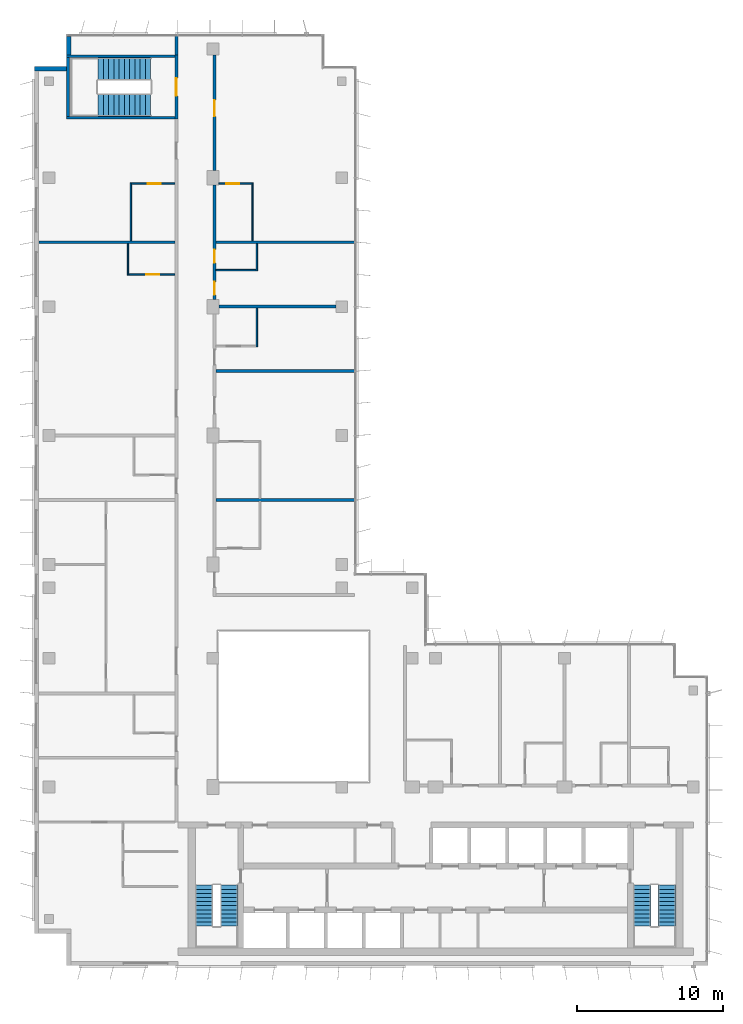
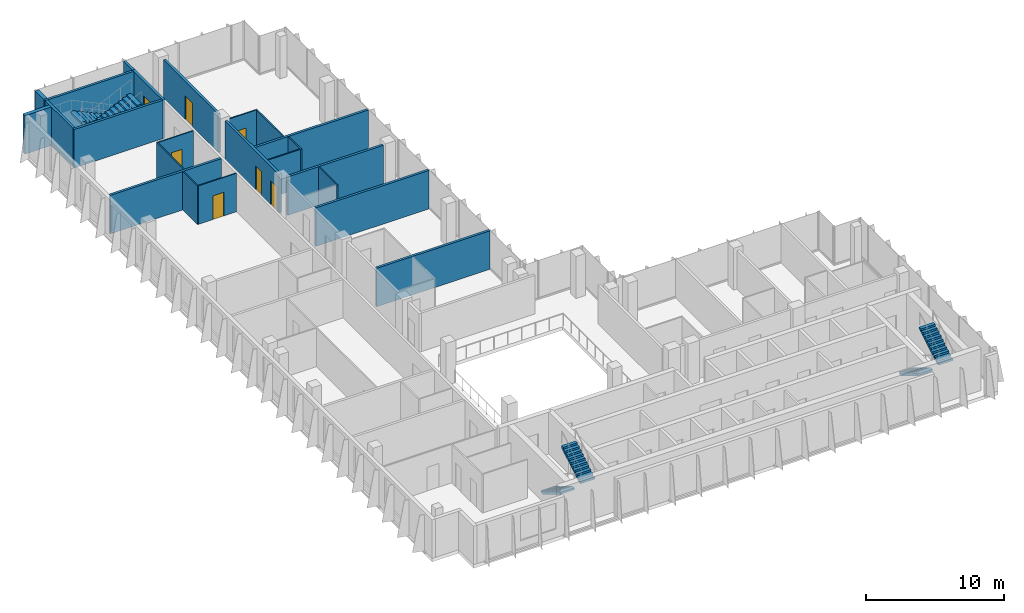
# One storey, part 12 of 15: 23 walls, 7 doors, 6 stair flights, 7 openings, 3 elements without a shape of their own.
"""IFC4 building model written with IfcOpenShell, lengths in metres."""

from ifc_helpers import new_model, si_unit, direction, frame, frame_2d, origin, place, context, subcontext, project, spatial, polyline, rectangle, outline, extrude, material, layer, layer_set, type_object, element, fill, aggregate, save


model = new_model("IFC4")

# Units and contexts
model_context = context("Model", 3, precision=1e-05, world=origin(), true_north=direction((0.0, 1.0)))
body_context = subcontext(model_context, "Body", "Model", "MODEL_VIEW")
ifc_project = project(units=[si_unit("LENGTHUNIT", "METRE"), si_unit("AREAUNIT", "SQUARE_METRE"), si_unit("VOLUMEUNIT", "CUBIC_METRE"), si_unit("PLANEANGLEUNIT", "RADIAN"), si_unit("MASSUNIT", "GRAM", prefix="KILO")], contexts=[model_context])

# Site, building, storey
site_placement = place(None, origin())
site = spatial("IfcSite", under=ifc_project, at=site_placement, CompositionType="ELEMENT")
building_placement = place(site_placement, origin())
building = spatial("IfcBuilding", under=site, at=building_placement, Name="Kemantara Hotel Tower", CompositionType="ELEMENT")
storey_placement = place(building_placement, frame((0.0, 0.0, 279.60009765625)))
storey = spatial("IfcBuildingStorey", under=building, at=storey_placement, Name="L70", CompositionType="ELEMENT", Elevation=279.60009765625)

# Walls
ifc_material_1 = material(Name="Bronze anodised aluminium cladding on insulated steel stud wall", Category="steel")
ifc_layer_1 = layer(ifc_material_1, 0.300048828125)
ifc_layer_set_1 = layer_set([ifc_layer_1], Name="Bronze anodised aluminium cladding on insulated steel stud wall")
wall_type_1 = type_object("IfcWallType", Name="BRONZE METAL-CLAD EXTERNAL WALL 300", PredefinedType="STANDARD", material=ifc_layer_set_1)
wall_1_placement = place(storey_placement, frame((2.35009765625, 63.449951171875, 0.0), z_axis=(0.0, 0.0, 1.0), x_axis=(0.0, -1.0, 0.0)))
element("IfcWall", 1, at=wall_1_placement, inside=storey, type_object=wall_type_1, Name="EXTERNAL WALL L70 T4-R03", PredefinedType="STANDARD", context=body_context, shape_type="SweptSolid", body=[
    extrude(rectangle(XDim=1.25, YDim=0.300048828125, at=frame_2d((0.625, 0.0))), origin(), (0.0, 0.0, 1.0), 3.39990234375),
])
wall_2_placement = place(storey_placement, frame((2.199951171875, 61.25, 0.0), z_axis=(0.0, 0.0, 1.0), x_axis=(-1.0, 0.0, 0.0)))
element("IfcWall", 2, at=wall_2_placement, inside=storey, type_object=wall_type_1, Name="EXTERNAL WALL L70 T4-R04", PredefinedType="STANDARD", context=body_context, shape_type="SweptSolid", body=[
    extrude(rectangle(XDim=2.199951171875, YDim=0.300048828125, at=frame_2d((1.10009765625, 0.0))), origin(), (0.0, 0.0, 1.0), 3.39990234375),
])
ifc_material_2 = material(Name="Gypsum board partition, steel studs and mineral wool, 200 mm", Category="steel")
ifc_layer_2 = layer(ifc_material_2, 0.199951171875)
ifc_layer_set_2 = layer_set([ifc_layer_2], Name="Gypsum board partition, steel studs and mineral wool, 200 mm")
wall_type_2 = type_object("IfcWallType", Name="CORRIDOR WALL 200", PredefinedType="PARTITIONING", material=ifc_layer_set_2)
wall_3_placement = place(storey_placement, frame((9.699951171875, 62.199951171875, 0.0), z_axis=(0.0, 0.0, 1.0), x_axis=(0.0, 1.0, 0.0)))
element("IfcWall", 3, at=wall_3_placement, inside=storey, type_object=wall_type_2, Name="CORRIDOR WALL 200 009", PredefinedType="PARTITIONING", context=body_context, shape_type="SweptSolid", body=[
    extrude(rectangle(XDim=1.280029296875, YDim=0.199951171875, at=frame_2d((0.64013671875, 0.0))), origin(), (0.0, 0.0, 1.0), 3.39990234375),
])

# Wall, openings, doors
wall_4_placement = place(storey_placement, frame((12.300048828125, 53.2998046875, 0.0), z_axis=(0.0, 0.0, 1.0), x_axis=(0.0, -1.0, 0.0)))
wall_4 = element("IfcWall", 4, at=wall_4_placement, inside=storey, type_object=wall_type_2, Name="CORRIDOR WALL 200 020", PredefinedType="PARTITIONING", context=body_context, shape_type="SweptSolid", body=[
    extrude(rectangle(XDim=7.7998046875, YDim=0.199951171875, at=frame_2d((3.89990234375, 0.0))), origin(), (0.0, 0.0, 1.0), 3.39990234375),
])
opening_1_placement = place(wall_4_placement, frame((6.599853515625, 0.0, 0.0)))
opening_1 = element("IfcOpeningElement", 5, at=opening_1_placement, cuts=wall_4, Name="Opening F34-030", PredefinedType="OPENING", context=body_context, shape_type="SweptSolid", body=[
    extrude(rectangle(XDim=0.89990234375, YDim=2.10009765625, at=frame_2d((0.449951171875, 1.050048828125))), frame((0.0, 0.10986328125, 0.0), z_axis=(0.0, -1.0, 0.0), x_axis=(1.0, 0.0, 0.0)), (0.0, 0.0, 1.0), 0.219970703125),
])
opening_2_placement = place(wall_4_placement, frame((4.39990234375, 0.0, 0.0)))
opening_2 = element("IfcOpeningElement", 6, at=opening_2_placement, cuts=wall_4, Name="Opening F34-031", PredefinedType="OPENING", context=body_context, shape_type="SweptSolid", body=[
    extrude(rectangle(XDim=0.89990234375, YDim=2.10009765625, at=frame_2d((0.449951171875, 1.050048828125))), frame((0.0, 0.10986328125, 0.0), z_axis=(0.0, -1.0, 0.0), x_axis=(1.0, 0.0, 0.0)), (0.0, 0.0, 1.0), 0.219970703125),
])
ifc_material_3 = material(Name="Steel door leaf with steel frame", Category="steel")
door_type_1 = type_object("IfcDoorType", Name="SERVICE ROOM DOOR 900 X 2100 FD60", OperationType="NOTDEFINED", PredefinedType="DOOR", material=ifc_material_3)
door_1_placement = place(opening_1_placement, origin())
door_1 = element("IfcDoor", 7, at=door_1_placement, inside=storey, type_object=door_type_1, Name="SERVICE ROOM DOOR F34-030", OperationType="SINGLE_SWING_RIGHT", OverallHeight=2.10009765625, OverallWidth=0.89990234375, PredefinedType="DOOR", context=body_context, shape_type="SweptSolid", body=[
    extrude(rectangle(XDim=0.89990234375, YDim=2.10009765625, at=frame_2d((0.449951171875, 1.050048828125))), frame((0.0, 0.02490234375, 0.0), z_axis=(0.0, -1.0, 0.0), x_axis=(1.0, 0.0, 0.0)), (0.0, 0.0, 1.0), 0.050048828125),
])
fill(opening_1, door_1)
door_2_placement = place(opening_2_placement, origin())
door_2 = element("IfcDoor", 8, at=door_2_placement, inside=storey, type_object=door_type_1, Name="SERVICE ROOM DOOR F34-031", OperationType="SINGLE_SWING_LEFT", OverallHeight=2.10009765625, OverallWidth=0.89990234375, PredefinedType="DOOR", context=body_context, shape_type="SweptSolid", body=[
    extrude(rectangle(XDim=0.89990234375, YDim=2.10009765625, at=frame_2d((0.449951171875, 1.050048828125))), frame((0.0, 0.02490234375, 0.0), z_axis=(0.0, -1.0, 0.0), x_axis=(1.0, 0.0, 0.0)), (0.0, 0.0, 1.0), 0.050048828125),
])
fill(opening_2, door_2)

# Wall, opening, door
wall_5_placement = place(storey_placement, frame((12.300048828125, 62.199951171875, 0.0), z_axis=(0.0, 0.0, 1.0), x_axis=(0.0, -1.0, 0.0)))
wall_5 = element("IfcWall", 9, at=wall_5_placement, inside=storey, type_object=wall_type_2, Name="CORRIDOR WALL 200 021", PredefinedType="PARTITIONING", context=body_context, shape_type="SweptSolid", body=[
    extrude(rectangle(XDim=7.89990234375, YDim=0.199951171875, at=frame_2d((3.949951171875, 0.0))), origin(), (0.0, 0.0, 1.0), 3.39990234375),
])
opening_3_placement = place(wall_5_placement, frame((3.099853515625, 0.0, 0.0)))
opening_3 = element("IfcOpeningElement", 10, at=opening_3_placement, cuts=wall_5, Name="Opening F34-032", PredefinedType="OPENING", context=body_context, shape_type="SweptSolid", body=[
    extrude(rectangle(XDim=1.10009765625, YDim=2.10009765625, at=frame_2d((0.550048828125, 1.050048828125))), frame((0.0, 0.10986328125, 0.0), z_axis=(0.0, -1.0, 0.0), x_axis=(1.0, 0.0, 0.0)), (0.0, 0.0, 1.0), 0.219970703125),
])
ifc_material_4 = material(Name="Hardwood veneer door leaf with steel frame", Category="steel")
door_type_2 = type_object("IfcDoorType", Name="SUITE ENTRANCE DOOR 1100 X 2100 FD30S", OperationType="NOTDEFINED", PredefinedType="DOOR", material=ifc_material_4)
door_3_placement = place(opening_3_placement, origin())
door_3 = element("IfcDoor", 11, at=door_3_placement, inside=storey, type_object=door_type_2, Name="SUITE ENTRANCE DOOR F34-032", OperationType="SINGLE_SWING_LEFT", OverallHeight=2.10009765625, OverallWidth=1.10009765625, PredefinedType="DOOR", context=body_context, shape_type="SweptSolid", body=[
    extrude(rectangle(XDim=1.10009765625, YDim=2.10009765625, at=frame_2d((0.550048828125, 1.050048828125))), frame((0.0, 0.02490234375, 0.0), z_axis=(0.0, -1.0, 0.0), x_axis=(1.0, 0.0, 0.0)), (0.0, 0.0, 1.0), 0.050048828125),
])
fill(opening_3, door_3)

ifc_material_5 = material(Name="Concrete fc 40 MPa", Category="concrete")
ifc_layer_3 = layer(ifc_material_5, 0.199951171875)
ifc_layer_set_3 = layer_set([ifc_layer_3], Name="Concrete fc 40 MPa")
wall_type_3 = type_object("IfcWallType", Name="Concrete stair wall 200 mm", PredefinedType="SHEAR", material=ifc_layer_set_3)
wall_6_placement = place(storey_placement, frame((9.699951171875, 57.800048828125, 0.0), z_axis=(0.0, 0.0, 1.0), x_axis=(0.0, 1.0, 0.0)))
wall_6 = element("IfcWall", 12, at=wall_6_placement, inside=storey, type_object=wall_type_3, Name="Stair ST4 enclosure wall with door", PredefinedType="SHEAR", context=body_context, shape_type="SweptSolid", body=[
    extrude(rectangle(XDim=4.39990234375, YDim=0.199951171875, at=frame_2d((2.199951171875, 0.0))), origin(), (0.0, 0.0, 1.0), 3.39990234375),
])
opening_4_placement = place(wall_6_placement, frame((1.60009765625, 0.0, 0.0)))
opening_4 = element("IfcOpeningElement", 13, at=opening_4_placement, cuts=wall_6, Name="Opening ST4-C", PredefinedType="OPENING", context=body_context, shape_type="SweptSolid", body=[
    extrude(rectangle(XDim=1.199951171875, YDim=2.10009765625, at=frame_2d((0.60009765625, 1.050048828125))), frame((0.0, 0.10986328125, 0.0), z_axis=(0.0, -1.0, 0.0), x_axis=(1.0, 0.0, 0.0)), (0.0, 0.0, 1.0), 0.219970703125),
])
ifc_material_6 = material(Name="Steel fire door", Category="steel")
door_type_3 = type_object("IfcDoorType", Name="Fire door FD90 1200 x 2100", OperationType="NOTDEFINED", PredefinedType="DOOR", material=ifc_material_6)
door_4_placement = place(opening_4_placement, origin())
door_4 = element("IfcDoor", 14, at=door_4_placement, inside=storey, type_object=door_type_3, Name="Stair ST4 door", OperationType="SINGLE_SWING_RIGHT", OverallHeight=2.10009765625, OverallWidth=1.199951171875, PredefinedType="DOOR", context=body_context, shape_type="SweptSolid", body=[
    extrude(rectangle(XDim=1.199951171875, YDim=2.10009765625, at=frame_2d((0.60009765625, 1.050048828125))), frame((0.0, 0.02490234375, 0.0), z_axis=(0.0, -1.0, 0.0), x_axis=(1.0, 0.0, 0.0)), (0.0, 0.0, 1.0), 0.050048828125),
])
fill(opening_4, door_4)

# Walls
for number, where, z_axis, x_axis, name in (
    (15, (2.199951171875, 62.10009765625, 0.0), (0.0, 0.0, 1.0), (1.0, 0.0, 0.0), "Stair ST4 enclosure wall N"),
    (16, (2.199951171875, 57.89990234375, 0.0), (0.0, 0.0, 1.0), (1.0, 0.0, 0.0), "Stair ST4 enclosure wall S"),
):
    element("IfcWall", number, at=place(storey_placement, frame(where, z_axis=z_axis, x_axis=x_axis)), inside=storey, type_object=wall_type_3, Name=name, PredefinedType="SHEAR", context=body_context, shape_type="SweptSolid", body=[
        extrude(rectangle(XDim=7.400146484375, YDim=0.199951171875, at=frame_2d((3.7001953125, 0.0))), origin(), (0.0, 0.0, 1.0), 3.39990234375),
    ])
wall_7_placement = place(storey_placement, frame((2.300048828125, 58.0, 0.0), z_axis=(0.0, 0.0, 1.0), x_axis=(0.0, 1.0, 0.0)))
element("IfcWall", 17, at=wall_7_placement, inside=storey, type_object=wall_type_3, Name="Stair ST4 enclosure wall W", PredefinedType="SHEAR", context=body_context, shape_type="SweptSolid", body=[
    extrude(rectangle(XDim=4.0, YDim=0.199951171875, at=frame_2d((2.0, 0.0))), origin(), (0.0, 0.0, 1.0), 3.39990234375),
])
ifc_layer_4 = layer(ifc_material_2, 0.199951171875)
ifc_layer_set_4 = layer_set([ifc_layer_4], Name="Gypsum board partition, steel studs and mineral wool, 200 mm")
wall_type_4 = type_object("IfcWallType", Name="GUEST ROOM PARTY WALL 200", PredefinedType="PARTITIONING", material=ifc_layer_set_4)
wall_8_placement = place(storey_placement, frame((12.39990234375, 31.800048828125, 0.0), z_axis=(0.0, 0.0, 1.0), x_axis=(1.0, 0.0, 0.0)))
element("IfcWall", 18, at=wall_8_placement, inside=storey, type_object=wall_type_4, Name="GUEST ROOM PARTY WALL 200 013", PredefinedType="PARTITIONING", context=body_context, shape_type="SweptSolid", body=[
    extrude(rectangle(XDim=9.47021484375, YDim=0.199951171875, at=frame_2d((4.735107421875, 0.0))), origin(), (0.0, 0.0, 1.0), 3.39990234375),
])
wall_9_placement = place(storey_placement, frame((0.31005859375, 49.39990234375, 0.0), z_axis=(0.0, 0.0, 1.0), x_axis=(1.0, 0.0, 0.0)))
element("IfcWall", 19, at=wall_9_placement, inside=storey, type_object=wall_type_4, Name="GUEST ROOM PARTY WALL 200 015", PredefinedType="PARTITIONING", context=body_context, shape_type="SweptSolid", body=[
    extrude(rectangle(XDim=9.2900390625, YDim=0.199951171875, at=frame_2d((4.64501953125, 0.0))), origin(), (0.0, 0.0, 1.0), 3.39990234375),
])
for number, where, z_axis, x_axis, name in (
    (20, (12.39990234375, 49.39990234375, 0.0), (0.0, 0.0, 1.0), (1.0, 0.0, 0.0), "GUEST ROOM PARTY WALL 200 016"),
    (21, (12.39990234375, 40.60009765625, 0.0), (0.0, 0.0, 1.0), (1.0, 0.0, 0.0), "GUEST ROOM PARTY WALL 200 023"),
):
    element("IfcWall", number, at=place(storey_placement, frame(where, z_axis=z_axis, x_axis=x_axis)), inside=storey, type_object=wall_type_4, Name=name, PredefinedType="PARTITIONING", context=body_context, shape_type="SweptSolid", body=[
        extrude(rectangle(XDim=9.47021484375, YDim=0.199951171875, at=frame_2d((4.735107421875, 0.0))), origin(), (0.0, 0.0, 1.0), 3.39990234375),
    ])
wall_10_placement = place(storey_placement, frame((12.60009765625, 45.0, 0.0), z_axis=(0.0, 0.0, 1.0), x_axis=(1.0, 0.0, 0.0)))
element("IfcWall", 22, at=wall_10_placement, inside=storey, type_object=wall_type_4, Name="GUEST ROOM PARTY WALL 200 024", PredefinedType="PARTITIONING", context=body_context, shape_type="SweptSolid", body=[
    extrude(rectangle(XDim=7.999755859375, YDim=0.199951171875, at=frame_2d((4.0, 0.0))), origin(), (0.0, 0.0, 1.0), 3.39990234375),
])
ifc_material_7 = material(Name="Gypsum board partition on steel studs, 100 mm", Category="steel")
ifc_layer_5 = layer(ifc_material_7, 0.10009765625)
ifc_layer_set_5 = layer_set([ifc_layer_5], Name="Gypsum board partition on steel studs, 100 mm")
wall_type_5 = type_object("IfcWallType", Name="ROOM PARTITION 100", PredefinedType="PARTITIONING", material=ifc_layer_set_5)
wall_11_placement = place(storey_placement, frame((6.39990234375, 47.14990234375, 0.0), z_axis=(0.0, 0.0, 1.0), x_axis=(0.0, 1.0, 0.0)))
element("IfcWall", 23, at=wall_11_placement, inside=storey, type_object=wall_type_5, Name="ROOM PARTITION 100 043", PredefinedType="PARTITIONING", context=body_context, shape_type="SweptSolid", body=[
    extrude(rectangle(XDim=2.150146484375, YDim=0.10009765625, at=frame_2d((1.0751953125, 0.0))), origin(), (0.0, 0.0, 1.0), 3.39990234375),
])

# Wall, opening, door
wall_12_placement = place(storey_placement, frame((6.449951171875, 47.199951171875, 0.0), z_axis=(0.0, 0.0, 1.0), x_axis=(1.0, 0.0, 0.0)))
wall_12 = element("IfcWall", 24, at=wall_12_placement, inside=storey, type_object=wall_type_5, Name="ROOM PARTITION 100 044", PredefinedType="PARTITIONING", context=body_context, shape_type="SweptSolid", body=[
    extrude(rectangle(XDim=3.150146484375, YDim=0.10009765625, at=frame_2d((1.5751953125, 0.0))), origin(), (0.0, 0.0, 1.0), 3.39990234375),
])
opening_5_placement = place(wall_12_placement, frame((1.199951171875, 0.0, 0.0)))
opening_5 = element("IfcOpeningElement", 25, at=opening_5_placement, cuts=wall_12, Name="Opening F34-021", PredefinedType="OPENING", context=body_context, shape_type="SweptSolid", body=[
    extrude(rectangle(XDim=0.89990234375, YDim=2.10009765625, at=frame_2d((0.449951171875, 1.050048828125))), frame((0.0, 0.06005859375, 0.0), z_axis=(0.0, -1.0, 0.0), x_axis=(1.0, 0.0, 0.0)), (0.0, 0.0, 1.0), 0.1201171875),
])
door_type_4 = type_object("IfcDoorType", Name="PANTRY DOOR 900 X 2100", OperationType="NOTDEFINED", PredefinedType="DOOR", material=ifc_material_4)
door_5_placement = place(opening_5_placement, origin())
door_5 = element("IfcDoor", 26, at=door_5_placement, inside=storey, type_object=door_type_4, Name="PANTRY DOOR F34-021", OperationType="SINGLE_SWING_RIGHT", OverallHeight=2.10009765625, OverallWidth=0.89990234375, PredefinedType="DOOR", context=body_context, shape_type="SweptSolid", body=[
    extrude(rectangle(XDim=0.89990234375, YDim=2.10009765625, at=frame_2d((0.449951171875, 1.050048828125))), frame((0.0, 0.02490234375, 0.0), z_axis=(0.0, -1.0, 0.0), x_axis=(1.0, 0.0, 0.0)), (0.0, 0.0, 1.0), 0.050048828125),
])
fill(opening_5, door_5)

# Wall
wall_13_placement = place(storey_placement, frame((6.60009765625, 49.5, 0.0), z_axis=(0.0, 0.0, 1.0), x_axis=(0.0, 1.0, 0.0)))
element("IfcWall", 27, at=wall_13_placement, inside=storey, type_object=wall_type_5, Name="ROOM PARTITION 100 045", PredefinedType="PARTITIONING", context=body_context, shape_type="SweptSolid", body=[
    extrude(rectangle(XDim=3.949951171875, YDim=0.10009765625, at=frame_2d((1.97509765625, 0.0))), origin(), (0.0, 0.0, 1.0), 3.39990234375),
])

# Wall, opening, door
wall_14_placement = place(storey_placement, frame((9.60009765625, 53.39990234375, 0.0), z_axis=(0.0, 0.0, 1.0), x_axis=(-1.0, 0.0, 0.0)))
wall_14 = element("IfcWall", 28, at=wall_14_placement, inside=storey, type_object=wall_type_5, Name="ROOM PARTITION 100 046", PredefinedType="PARTITIONING", context=body_context, shape_type="SweptSolid", body=[
    extrude(rectangle(XDim=2.9501953125, YDim=0.10009765625, at=frame_2d((1.47509765625, 0.0))), origin(), (0.0, 0.0, 1.0), 3.39990234375),
])
opening_6_placement = place(wall_14_placement, frame((0.949951171875, 0.0, 0.0)))
opening_6 = element("IfcOpeningElement", 29, at=opening_6_placement, cuts=wall_14, Name="Opening F34-023", PredefinedType="OPENING", context=body_context, shape_type="SweptSolid", body=[
    extrude(rectangle(XDim=0.89990234375, YDim=2.10009765625, at=frame_2d((0.449951171875, 1.050048828125))), frame((0.0, 0.06005859375, 0.0), z_axis=(0.0, -1.0, 0.0), x_axis=(1.0, 0.0, 0.0)), (0.0, 0.0, 1.0), 0.1201171875),
])
door_type_5 = type_object("IfcDoorType", Name="BATHROOM DOOR 900 X 2100", OperationType="NOTDEFINED", PredefinedType="DOOR", material=ifc_material_4)
door_6_placement = place(opening_6_placement, origin())
door_6 = element("IfcDoor", 30, at=door_6_placement, inside=storey, type_object=door_type_5, Name="BATHROOM DOOR F34-023", OperationType="SINGLE_SWING_LEFT", OverallHeight=2.10009765625, OverallWidth=0.89990234375, PredefinedType="DOOR", context=body_context, shape_type="SweptSolid", body=[
    extrude(rectangle(XDim=0.89990234375, YDim=2.10009765625, at=frame_2d((0.449951171875, 1.050048828125))), frame((0.0, 0.02490234375, 0.0), z_axis=(0.0, -1.0, 0.0), x_axis=(1.0, 0.0, 0.0)), (0.0, 0.0, 1.0), 0.050048828125),
])
fill(opening_6, door_6)

wall_15_placement = place(storey_placement, frame((14.85009765625, 53.39990234375, 0.0), z_axis=(0.0, 0.0, 1.0), x_axis=(-1.0, 0.0, 0.0)))
wall_15 = element("IfcWall", 31, at=wall_15_placement, inside=storey, type_object=wall_type_5, Name="ROOM PARTITION 100 047", PredefinedType="PARTITIONING", context=body_context, shape_type="SweptSolid", body=[
    extrude(rectangle(XDim=2.25, YDim=0.10009765625, at=frame_2d((1.125, 0.0))), origin(), (0.0, 0.0, 1.0), 3.39990234375),
])
opening_7_placement = place(wall_15_placement, frame((0.85009765625, 0.0, 0.0)))
opening_7 = element("IfcOpeningElement", 32, at=opening_7_placement, cuts=wall_15, Name="Opening F34-033", PredefinedType="OPENING", context=body_context, shape_type="SweptSolid", body=[
    extrude(rectangle(XDim=0.89990234375, YDim=2.10009765625, at=frame_2d((0.449951171875, 1.050048828125))), frame((0.0, 0.06005859375, 0.0), z_axis=(0.0, -1.0, 0.0), x_axis=(1.0, 0.0, 0.0)), (0.0, 0.0, 1.0), 0.1201171875),
])
door_7_placement = place(opening_7_placement, origin())
door_7 = element("IfcDoor", 33, at=door_7_placement, inside=storey, type_object=door_type_5, Name="BATHROOM DOOR F34-033", OperationType="SINGLE_SWING_RIGHT", OverallHeight=2.10009765625, OverallWidth=0.89990234375, PredefinedType="DOOR", context=body_context, shape_type="SweptSolid", body=[
    extrude(rectangle(XDim=0.89990234375, YDim=2.10009765625, at=frame_2d((0.449951171875, 1.050048828125))), frame((0.0, 0.02490234375, 0.0), z_axis=(0.0, -1.0, 0.0), x_axis=(1.0, 0.0, 0.0)), (0.0, 0.0, 1.0), 0.050048828125),
])
fill(opening_7, door_7)

# Walls
wall_16_placement = place(storey_placement, frame((15.199951171875, 42.25, 0.0), z_axis=(0.0, 0.0, 1.0), x_axis=(0.0, 1.0, 0.0)))
element("IfcWall", 34, at=wall_16_placement, inside=storey, type_object=wall_type_5, Name="ROOM PARTITION 100 052", PredefinedType="PARTITIONING", context=body_context, shape_type="SweptSolid", body=[
    extrude(rectangle(XDim=2.64990234375, YDim=0.10009765625, at=frame_2d((1.324951171875, 0.0))), origin(), (0.0, 0.0, 1.0), 3.39990234375),
])
wall_17_placement = place(storey_placement, frame((15.199951171875, 47.449951171875, 0.0), z_axis=(0.0, 0.0, 1.0), x_axis=(0.0, 1.0, 0.0)))
element("IfcWall", 35, at=wall_17_placement, inside=storey, type_object=wall_type_5, Name="ROOM PARTITION 100 053", PredefinedType="PARTITIONING", context=body_context, shape_type="SweptSolid", body=[
    extrude(rectangle(XDim=1.85009765625, YDim=0.10009765625, at=frame_2d((0.925048828125, 0.0))), origin(), (0.0, 0.0, 1.0), 3.39990234375),
])
wall_18_placement = place(storey_placement, frame((12.39990234375, 47.5, 0.0), z_axis=(0.0, 0.0, 1.0), x_axis=(1.0, 0.0, 0.0)))
element("IfcWall", 36, at=wall_18_placement, inside=storey, type_object=wall_type_5, Name="ROOM PARTITION 100 055", PredefinedType="PARTITIONING", context=body_context, shape_type="SweptSolid", body=[
    extrude(rectangle(XDim=2.75, YDim=0.10009765625, at=frame_2d((1.375, 0.0))), origin(), (0.0, 0.0, 1.0), 3.39990234375),
])
wall_19_placement = place(storey_placement, frame((14.89990234375, 49.5, 0.0), z_axis=(0.0, 0.0, 1.0), x_axis=(0.0, 1.0, 0.0)))
element("IfcWall", 37, at=wall_19_placement, inside=storey, type_object=wall_type_5, Name="ROOM PARTITION 100 056", PredefinedType="PARTITIONING", context=body_context, shape_type="SweptSolid", body=[
    extrude(rectangle(XDim=3.949951171875, YDim=0.10009765625, at=frame_2d((1.97509765625, 0.0))), origin(), (0.0, 0.0, 1.0), 3.39990234375),
])

# Stair, stair flights
stair_type_1 = type_object("IfcStairType", Name="Stair 1200 wide 22 risers of 168 x 280 mm", PredefinedType="HALF_TURN_STAIR", material=ifc_material_5)
stair_1_placement = place(storey_placement, origin())
stair_1 = element("IfcStair", 38, at=stair_1_placement, inside=storey, type_object=stair_type_1, Name="L70 Exit stair ST1", PredefinedType="HALF_TURN_STAIR")
stair_flight_type_1 = type_object("IfcStairFlightType", Name="Stair flight 1200 wide 168 x 280 mm", PredefinedType="STRAIGHT", material=ifc_material_5)
stair_flight_1_placement = place(storey_placement, frame((11.60009765625, 5.5, 0.0), z_axis=(0.0, 0.0, 1.0), x_axis=(0.0, -1.0, 0.0)))
stair_flight_1 = element("IfcStairFlight", 39, at=stair_flight_1_placement, type_object=stair_flight_type_1, Name="ST1 flight 1", NumberOfRisers=11, NumberOfTreads=10, PredefinedType="STRAIGHT", RiserHeight=0.168181818, TreadLength=0.28, context=body_context, shape_type="SweptSolid", body=[
    extrude(outline(polyline([(0.0, 0.0), (0.0, 0.168212890625), (0.280029296875, 0.168212890625), (0.280029296875, 0.33642578125), (0.56005859375, 0.33642578125), (0.56005859375, 0.504638671875), (0.840087890625, 0.504638671875), (0.840087890625, 0.672607421875), (1.1201171875, 0.672607421875), (1.1201171875, 0.8408203125), (1.39990234375, 0.8408203125), (1.39990234375, 1.009033203125), (1.679931640625, 1.009033203125), (1.679931640625, 1.17724609375), (1.9599609375, 1.17724609375), (1.9599609375, 1.345458984375), (2.239990234375, 1.345458984375), (2.239990234375, 1.513671875), (2.52001953125, 1.513671875), (2.52001953125, 1.681884765625), (2.800048828125, 1.681884765625), (2.800048828125, 1.85009765625), (2.800048828125, 1.5068359375), (0.291015625, 0.0), (0.0, 0.0)])), frame((0.0, 0.60009765625, 0.0), z_axis=(0.0, -1.0, 0.0), x_axis=(1.0, 0.0, 0.0)), (0.0, 0.0, 1.0), 1.199951171875),
])
stair_flight_2_placement = place(storey_placement, frame((13.300048828125, 2.699951171875, 1.849853515625), z_axis=(0.0, 0.0, 1.0), x_axis=(0.0, 1.0, 0.0)))
stair_flight_2 = element("IfcStairFlight", 40, at=stair_flight_2_placement, type_object=stair_flight_type_1, Name="ST1 flight 2", NumberOfRisers=11, NumberOfTreads=10, PredefinedType="STRAIGHT", RiserHeight=0.168181818, TreadLength=0.28, context=body_context, shape_type="SweptSolid", body=[
    extrude(outline(polyline([(0.0, 0.0), (0.0, 0.168212890625), (0.280029296875, 0.168212890625), (0.280029296875, 0.33642578125), (0.56005859375, 0.33642578125), (0.56005859375, 0.504638671875), (0.840087890625, 0.504638671875), (0.840087890625, 0.672607421875), (1.1201171875, 0.672607421875), (1.1201171875, 0.8408203125), (1.39990234375, 0.8408203125), (1.39990234375, 1.009033203125), (1.679931640625, 1.009033203125), (1.679931640625, 1.17724609375), (1.9599609375, 1.17724609375), (1.9599609375, 1.345458984375), (2.239990234375, 1.345458984375), (2.239990234375, 1.513671875), (2.52001953125, 1.513671875), (2.52001953125, 1.681884765625), (2.800048828125, 1.681884765625), (2.800048828125, 1.85009765625), (2.800048828125, 1.5068359375), (0.291015625, 0.0), (0.0, 0.0)])), frame((0.0, 0.60009765625, 0.0), z_axis=(0.0, -1.0, 0.0), x_axis=(1.0, 0.0, 0.0)), (0.0, 0.0, 1.0), 1.199951171875),
])
aggregate(stair_1, [stair_flight_1, stair_flight_2])

stair_2_placement = place(storey_placement, origin())
stair_2 = element("IfcStair", 41, at=stair_2_placement, inside=storey, type_object=stair_type_1, Name="L70 Exit stair ST2", PredefinedType="HALF_TURN_STAIR")
stair_flight_3_placement = place(storey_placement, frame((41.5, 5.5, 0.0), z_axis=(0.0, 0.0, 1.0), x_axis=(0.0, -1.0, 0.0)))
stair_flight_3 = element("IfcStairFlight", 42, at=stair_flight_3_placement, type_object=stair_flight_type_1, Name="ST2 flight 1", NumberOfRisers=11, NumberOfTreads=10, PredefinedType="STRAIGHT", RiserHeight=0.168181818, TreadLength=0.28, context=body_context, shape_type="SweptSolid", body=[
    extrude(outline(polyline([(0.0, 0.0), (0.0, 0.168212890625), (0.280029296875, 0.168212890625), (0.280029296875, 0.33642578125), (0.56005859375, 0.33642578125), (0.56005859375, 0.504638671875), (0.840087890625, 0.504638671875), (0.840087890625, 0.672607421875), (1.1201171875, 0.672607421875), (1.1201171875, 0.8408203125), (1.39990234375, 0.8408203125), (1.39990234375, 1.009033203125), (1.679931640625, 1.009033203125), (1.679931640625, 1.17724609375), (1.9599609375, 1.17724609375), (1.9599609375, 1.345458984375), (2.239990234375, 1.345458984375), (2.239990234375, 1.513671875), (2.52001953125, 1.513671875), (2.52001953125, 1.681884765625), (2.800048828125, 1.681884765625), (2.800048828125, 1.85009765625), (2.800048828125, 1.5068359375), (0.291015625, 0.0), (0.0, 0.0)])), frame((0.0, 0.60009765625, 0.0), z_axis=(0.0, -1.0, 0.0), x_axis=(1.0, 0.0, 0.0)), (0.0, 0.0, 1.0), 1.199951171875),
])
stair_flight_4_placement = place(storey_placement, frame((43.199951171875, 2.699951171875, 1.849853515625), z_axis=(0.0, 0.0, 1.0), x_axis=(0.0, 1.0, 0.0)))
stair_flight_4 = element("IfcStairFlight", 43, at=stair_flight_4_placement, type_object=stair_flight_type_1, Name="ST2 flight 2", NumberOfRisers=11, NumberOfTreads=10, PredefinedType="STRAIGHT", RiserHeight=0.168181818, TreadLength=0.28, context=body_context, shape_type="SweptSolid", body=[
    extrude(outline(polyline([(0.0, 0.0), (0.0, 0.168212890625), (0.280029296875, 0.168212890625), (0.280029296875, 0.33642578125), (0.56005859375, 0.33642578125), (0.56005859375, 0.504638671875), (0.840087890625, 0.504638671875), (0.840087890625, 0.672607421875), (1.1201171875, 0.672607421875), (1.1201171875, 0.8408203125), (1.39990234375, 0.8408203125), (1.39990234375, 1.009033203125), (1.679931640625, 1.009033203125), (1.679931640625, 1.17724609375), (1.9599609375, 1.17724609375), (1.9599609375, 1.345458984375), (2.239990234375, 1.345458984375), (2.239990234375, 1.513671875), (2.52001953125, 1.513671875), (2.52001953125, 1.681884765625), (2.800048828125, 1.681884765625), (2.800048828125, 1.85009765625), (2.800048828125, 1.5068359375), (0.291015625, 0.0), (0.0, 0.0)])), frame((0.0, 0.60009765625, 0.0), z_axis=(0.0, -1.0, 0.0), x_axis=(1.0, 0.0, 0.0)), (0.0, 0.0, 1.0), 1.199951171875),
])
aggregate(stair_2, [stair_flight_3, stair_flight_4])

stair_type_2 = type_object("IfcStairType", Name="Stair 1550 wide 22 risers of 168 x 360 mm", PredefinedType="HALF_TURN_STAIR", material=ifc_material_5)
stair_3_placement = place(storey_placement, origin())
stair_3 = element("IfcStair", 44, at=stair_3_placement, inside=storey, type_object=stair_type_2, Name="L70 Exit stair ST4", PredefinedType="HALF_TURN_STAIR")
stair_flight_type_2 = type_object("IfcStairFlightType", Name="Stair flight 1550 wide 168 x 360 mm", PredefinedType="STRAIGHT", material=ifc_material_5)
stair_flight_5_placement = place(storey_placement, frame((7.949951171875, 61.22509765625, 0.0), z_axis=(0.0, 0.0, 1.0), x_axis=(-1.0, 0.0, 0.0)))
stair_flight_5 = element("IfcStairFlight", 45, at=stair_flight_5_placement, type_object=stair_flight_type_2, Name="ST4 flight 1", NumberOfRisers=11, NumberOfTreads=10, PredefinedType="STRAIGHT", RiserHeight=0.168181818, TreadLength=0.36, context=body_context, shape_type="SweptSolid", body=[
    extrude(outline(polyline([(0.0, 0.0), (0.0, 0.168212890625), (0.360107421875, 0.168212890625), (0.360107421875, 0.33642578125), (0.719970703125, 0.33642578125), (0.719970703125, 0.504638671875), (1.080078125, 0.504638671875), (1.080078125, 0.672607421875), (1.43994140625, 0.672607421875), (1.43994140625, 0.8408203125), (1.800048828125, 0.8408203125), (1.800048828125, 1.009033203125), (2.159912109375, 1.009033203125), (2.159912109375, 1.17724609375), (2.52001953125, 1.17724609375), (2.52001953125, 1.345458984375), (2.8798828125, 1.345458984375), (2.8798828125, 1.513671875), (3.239990234375, 1.513671875), (3.239990234375, 1.681884765625), (3.60009765625, 1.681884765625), (3.60009765625, 1.85009765625), (3.60009765625, 1.516357421875), (0.354248046875, 0.0), (0.0, 0.0)])), frame((0.0, 0.77490234375, 0.0), z_axis=(0.0, -1.0, 0.0), x_axis=(1.0, 0.0, 0.0)), (0.0, 0.0, 1.0), 1.550048828125),
])
stair_flight_6_placement = place(storey_placement, frame((4.35009765625, 58.77490234375, 1.849853515625), z_axis=(0.0, 0.0, 1.0), x_axis=(1.0, 0.0, 0.0)))
stair_flight_6 = element("IfcStairFlight", 46, at=stair_flight_6_placement, type_object=stair_flight_type_2, Name="ST4 flight 2", NumberOfRisers=11, NumberOfTreads=10, PredefinedType="STRAIGHT", RiserHeight=0.168181818, TreadLength=0.36, context=body_context, shape_type="SweptSolid", body=[
    extrude(outline(polyline([(0.0, 0.0), (0.0, 0.168212890625), (0.360107421875, 0.168212890625), (0.360107421875, 0.33642578125), (0.719970703125, 0.33642578125), (0.719970703125, 0.504638671875), (1.080078125, 0.504638671875), (1.080078125, 0.672607421875), (1.43994140625, 0.672607421875), (1.43994140625, 0.8408203125), (1.800048828125, 0.8408203125), (1.800048828125, 1.009033203125), (2.159912109375, 1.009033203125), (2.159912109375, 1.17724609375), (2.52001953125, 1.17724609375), (2.52001953125, 1.345458984375), (2.8798828125, 1.345458984375), (2.8798828125, 1.513671875), (3.239990234375, 1.513671875), (3.239990234375, 1.681884765625), (3.60009765625, 1.681884765625), (3.60009765625, 1.85009765625), (3.60009765625, 1.516357421875), (0.354248046875, 0.0), (0.0, 0.0)])), frame((0.0, 0.77490234375, 0.0), z_axis=(0.0, -1.0, 0.0), x_axis=(1.0, 0.0, 0.0)), (0.0, 0.0, 1.0), 1.550048828125),
])
aggregate(stair_3, [stair_flight_5, stair_flight_6])

save(model, "model.ifc")
